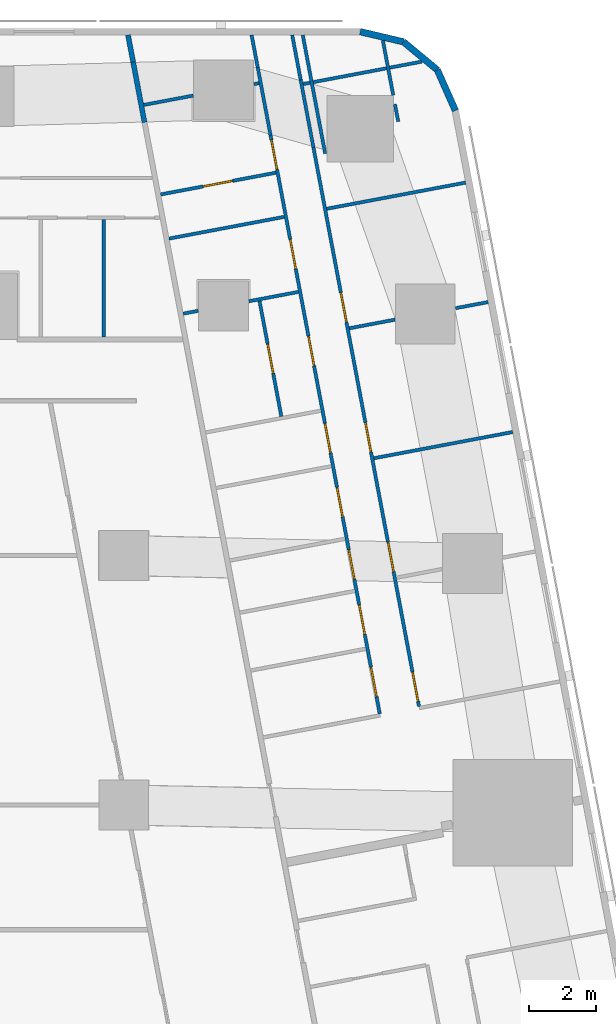
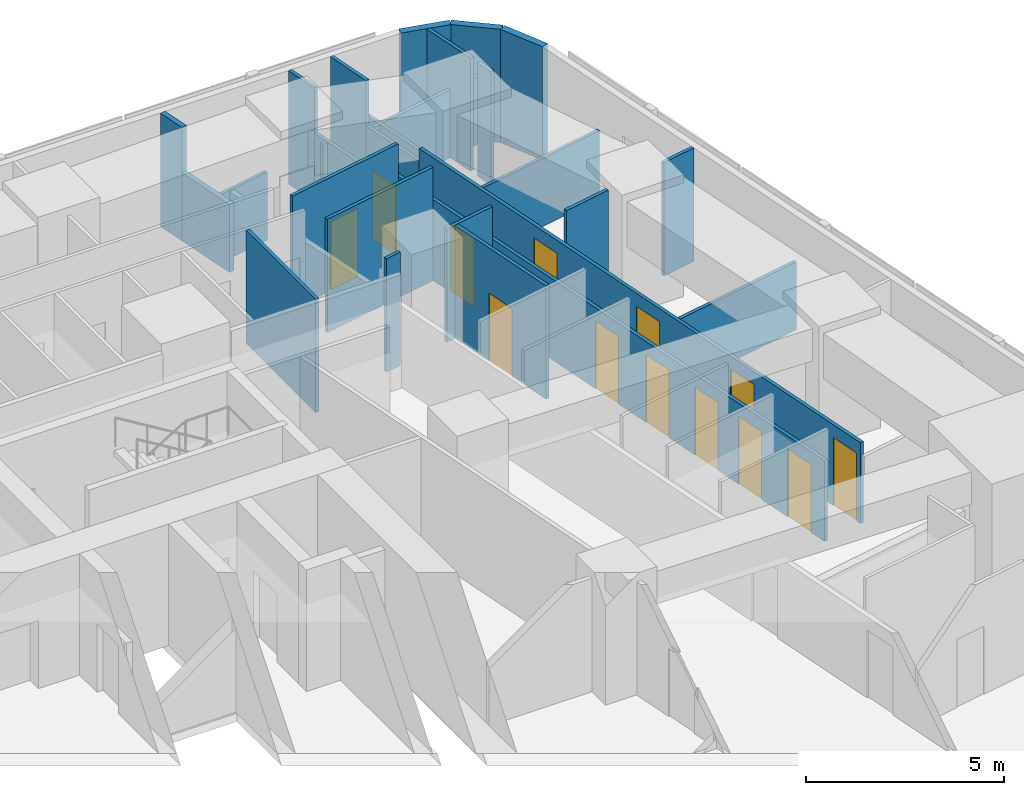
# One storey, part 10 of 14: 27 walls, 14 doors, 14 openings.
"""IFC4 building model written with IfcOpenShell, lengths in metres."""

from ifc_helpers import new_model, si_unit, direction, frame, frame_2d, origin, place, context, subcontext, project, spatial, rectangle, extrude, material, layer, layer_set, type_object, element, fill, save


model = new_model("IFC4")

# Units and contexts
model_context = context("Model", 3, precision=1e-05, world=origin(), true_north=direction((0.0, 1.0)))
body_context = subcontext(model_context, "Body", "Model", "MODEL_VIEW")
ifc_project = project(units=[si_unit("LENGTHUNIT", "METRE"), si_unit("AREAUNIT", "SQUARE_METRE"), si_unit("VOLUMEUNIT", "CUBIC_METRE"), si_unit("PLANEANGLEUNIT", "RADIAN"), si_unit("MASSUNIT", "GRAM", prefix="KILO")], contexts=[model_context])

# Site, building, storey
site_placement = place(None, origin())
site = spatial("IfcSite", under=ifc_project, at=site_placement, CompositionType="ELEMENT")
building_placement = place(site_placement, origin())
building = spatial("IfcBuilding", under=site, at=building_placement, Name="Sheger Commons Tower", CompositionType="ELEMENT")
storey_placement = place(building_placement, frame((0.0, 0.0, 135.800048828125)))
storey = spatial("IfcBuildingStorey", under=building, at=storey_placement, Name="L34", CompositionType="ELEMENT", Elevation=135.800048828125)

# Walls
ifc_material_1 = material(Name="Hollow concrete block masonry, skimmed both sides", Category="masonry")
ifc_layer_1 = layer(ifc_material_1, 0.14990234375)
ifc_layer_set_1 = layer_set([ifc_layer_1], Name="CORRIDOR WALL 150")
wall_type_1 = type_object("IfcWallType", Name="CORRIDOR WALL 150", PredefinedType="SOLIDWALL", material=ifc_layer_set_1)
wall_1_placement = place(storey_placement, frame((33.126953125, 45.64990234375, 0.0), z_axis=(0.0, 0.0, 1.0), x_axis=(0.186176514576, -0.982516313056, 0.0)))
element("IfcWall", 1, at=wall_1_placement, inside=storey, type_object=wall_type_1, Name="Corridor wall L34", PredefinedType="SOLIDWALL", context=body_context, shape_type="SweptSolid", body=[
    extrude(rectangle(XDim=0.827392578125, YDim=0.14990234375, at=frame_2d((0.41357421875, 0.0))), origin(), (0.0, 0.0, 1.0), 3.5),
])
wall_2_placement = place(storey_placement, frame((33.281005859375, 44.8369140625, 0.0), z_axis=(0.0, 0.0, 1.0), x_axis=(0.185198323004, -0.982701165745, 0.0)))
element("IfcWall", 2, at=wall_2_placement, inside=storey, type_object=wall_type_1, Name="Corridor wall L34", PredefinedType="SOLIDWALL", context=body_context, shape_type="SweptSolid", body=[
    extrude(rectangle(XDim=1.846923828125, YDim=0.14990234375, at=frame_2d((0.92333984375, 0.0))), origin(), (0.0, 0.0, 1.0), 2.099853515625),
])
ifc_material_2 = material(Name="Rendered concrete block masonry, dark grey", Category="masonry")
ifc_layer_2 = layer(ifc_material_2, 0.199951171875)
ifc_layer_set_2 = layer_set([ifc_layer_2], Name="FACADE WALL 200")
wall_type_2 = type_object("IfcWallType", Name="FACADE WALL 200", PredefinedType="SOLIDWALL", material=ifc_layer_set_2)
wall_3_placement = place(storey_placement, frame((42.969970703125, 43.376953125, 0.0), z_axis=(0.0, 0.0, 1.0), x_axis=(-0.406002956633, 0.913871762998, 0.0)))
element("IfcWall", 3, at=wall_3_placement, inside=storey, type_object=wall_type_2, Name="Facade wall L34", PredefinedType="SOLIDWALL", context=body_context, shape_type="SweptSolid", body=[
    extrude(rectangle(XDim=1.33740234375, YDim=0.199951171875, at=frame_2d((0.668701171875, 0.0))), origin(), (0.0, 0.0, 1.0), 3.5),
])
wall_4_placement = place(storey_placement, frame((42.427001953125, 44.59912109375, 0.0), z_axis=(0.0, 0.0, 1.0), x_axis=(-0.770091412544, 0.637933551655, 0.0)))
element("IfcWall", 4, at=wall_4_placement, inside=storey, type_object=wall_type_2, Name="Facade wall L34", PredefinedType="SOLIDWALL", context=body_context, shape_type="SweptSolid", body=[
    extrude(rectangle(XDim=1.324462890625, YDim=0.199951171875, at=frame_2d((0.662109375, 0.0))), origin(), (0.0, 0.0, 1.0), 3.5),
])
wall_5_placement = place(storey_placement, frame((41.406982421875, 45.444091796875, 0.0), z_axis=(0.0, 0.0, 1.0), x_axis=(-0.973453091607, 0.228886606077, 0.0)))
element("IfcWall", 5, at=wall_5_placement, inside=storey, type_object=wall_type_2, Name="Facade wall L34", PredefinedType="SOLIDWALL", context=body_context, shape_type="SweptSolid", body=[
    extrude(rectangle(XDim=1.33642578125, YDim=0.199951171875, at=frame_2d((0.668212890625, 0.0))), origin(), (0.0, 0.0, 1.0), 3.5),
])
ifc_material_3 = material(Name="Gypsum board on steel studs", Category="steel")
ifc_layer_3 = layer(ifc_material_3, 0.10009765625)
ifc_layer_set_3 = layer_set([ifc_layer_3], Name="PARTITION 100")
wall_type_3 = type_object("IfcWallType", Name="PARTITION 100", PredefinedType="PARTITIONING", material=ifc_layer_set_3)
wall_6_placement = place(storey_placement, frame((39.053955078125, 42.0849609375, 0.0), z_axis=(0.0, 0.0, 1.0), x_axis=(-0.185791584218, 0.982589175207, 0.0)))
element("IfcWall", 6, at=wall_6_placement, inside=storey, type_object=wall_type_3, Name="Partition L34", PredefinedType="PARTITIONING", context=body_context, shape_type="SweptSolid", body=[
    extrude(rectangle(XDim=3.628173828125, YDim=0.10009765625, at=frame_2d((1.81396484375, 0.0))), origin(), (0.0, 0.0, 1.0), 2.099853515625),
])
wall_7_placement = place(storey_placement, frame((40.7890625, 45.487060546875, 0.0), z_axis=(0.0, 0.0, 1.0), x_axis=(0.185572395193, -0.982630594955, 0.0)))
element("IfcWall", 7, at=wall_7_placement, inside=storey, type_object=wall_type_3, Name="Partition L34", PredefinedType="PARTITIONING", context=body_context, shape_type="SweptSolid", body=[
    extrude(rectangle(XDim=1.676025390625, YDim=0.10009765625, at=frame_2d((0.837890625, 0.0))), origin(), (0.0, 0.0, 1.0), 3.5),
])
wall_8_placement = place(storey_placement, frame((41.15087890625, 43.569091796875, 0.0), z_axis=(0.0, 0.0, 1.0), x_axis=(0.186563073924, -0.982442985342, 0.0)))
element("IfcWall", 8, at=wall_8_placement, inside=storey, type_object=wall_type_3, Name="Partition L34", PredefinedType="PARTITIONING", context=body_context, shape_type="SweptSolid", body=[
    extrude(rectangle(XDim=0.53125, YDim=0.10009765625, at=frame_2d((0.265625, 0.0))), origin(), (0.0, 0.0, 1.0), 3.5),
])
wall_9_placement = place(storey_placement, frame((38.06298828125, 45.64990234375, 0.0), z_axis=(0.0, 0.0, 1.0), x_axis=(0.185456359766, -0.982652501458, 0.0)))
element("IfcWall", 9, at=wall_9_placement, inside=storey, type_object=wall_type_3, Name="Partition L34", PredefinedType="PARTITIONING", context=body_context, shape_type="SweptSolid", body=[
    extrude(rectangle(XDim=1.375732421875, YDim=0.10009765625, at=frame_2d((0.68798828125, 0.0))), origin(), (0.0, 0.0, 1.0), 3.5),
])
wall_10_placement = place(storey_placement, frame((38.318115234375, 44.298095703125, 0.0), z_axis=(0.0, 0.0, 1.0), x_axis=(0.185481135188, -0.982647825261, 0.0)))
element("IfcWall", 10, at=wall_10_placement, inside=storey, type_object=wall_type_3, Name="Partition L34", PredefinedType="PARTITIONING", context=body_context, shape_type="SweptSolid", body=[
    extrude(rectangle(XDim=2.06396484375, YDim=0.10009765625, at=frame_2d((1.031982421875, 0.0))), origin(), (0.0, 0.0, 1.0), 2.099853515625),
])

# Wall, openings, doors
wall_11_placement = place(storey_placement, frame((38.700927734375, 42.27001953125, 0.0), z_axis=(0.0, 0.0, 1.0), x_axis=(0.185640619081, -0.98261770824, 0.0)))
wall_11 = element("IfcWall", 11, at=wall_11_placement, inside=storey, type_object=wall_type_3, Name="Partition L34", PredefinedType="PARTITIONING", context=body_context, shape_type="SweptSolid", body=[
    extrude(rectangle(XDim=17.103271484375, YDim=0.10009765625, at=frame_2d((8.5517578125, 0.0))), origin(), (0.0, 0.0, 1.0), 2.5),
])
opening_1_placement = place(wall_11_placement, frame((16.052978515625, 0.0, 0.0)))
opening_1 = element("IfcOpeningElement", 12, at=opening_1_placement, cuts=wall_11, Name="Opening D2", PredefinedType="OPENING", context=body_context, shape_type="SweptSolid", body=[
    extrude(rectangle(XDim=0.89990234375, YDim=2.10009765625, at=frame_2d((0.449951171875, 1.050048828125))), frame((0.0, 0.06005859375, 0.0), z_axis=(0.0, -1.0, 0.0), x_axis=(1.0, 0.0, 0.0)), (0.0, 0.0, 1.0), 0.1201171875),
])
opening_2_placement = place(wall_11_placement, frame((12.076904296875, 0.0, 0.0)))
opening_2 = element("IfcOpeningElement", 13, at=opening_2_placement, cuts=wall_11, Name="Opening D2", PredefinedType="OPENING", context=body_context, shape_type="SweptSolid", body=[
    extrude(rectangle(XDim=0.89990234375, YDim=2.10009765625, at=frame_2d((0.449951171875, 1.050048828125))), frame((0.0, 0.06005859375, 0.0), z_axis=(0.0, -1.0, 0.0), x_axis=(1.0, 0.0, 0.0)), (0.0, 0.0, 1.0), 0.1201171875),
])
opening_3_placement = place(wall_11_placement, frame((8.419921875, 0.0, 0.0)))
opening_3 = element("IfcOpeningElement", 14, at=opening_3_placement, cuts=wall_11, Name="Opening D2", PredefinedType="OPENING", context=body_context, shape_type="SweptSolid", body=[
    extrude(rectangle(XDim=0.89990234375, YDim=2.10009765625, at=frame_2d((0.449951171875, 1.050048828125))), frame((0.0, 0.06005859375, 0.0), z_axis=(0.0, -1.0, 0.0), x_axis=(1.0, 0.0, 0.0)), (0.0, 0.0, 1.0), 0.1201171875),
])
opening_4_placement = place(wall_11_placement, frame((4.444091796875, 0.0, 0.0)))
opening_4 = element("IfcOpeningElement", 15, at=opening_4_placement, cuts=wall_11, Name="Opening D2", PredefinedType="OPENING", context=body_context, shape_type="SweptSolid", body=[
    extrude(rectangle(XDim=0.89990234375, YDim=2.10009765625, at=frame_2d((0.449951171875, 1.050048828125))), frame((0.0, 0.06005859375, 0.0), z_axis=(0.0, -1.0, 0.0), x_axis=(1.0, 0.0, 0.0)), (0.0, 0.0, 1.0), 0.1201171875),
])
ifc_material_4 = material(Name="Timber door set", Category="wood")
door_type = type_object("IfcDoorType", Name="INTERNAL DOOR 900x2100", OperationType="NOTDEFINED", PredefinedType="DOOR", material=ifc_material_4)
door_1_placement = place(opening_1_placement, origin())
door_1 = element("IfcDoor", 16, at=door_1_placement, inside=storey, type_object=door_type, Name="Main bedroom door", OperationType="SINGLE_SWING_RIGHT", OverallHeight=2.10009765625, OverallWidth=0.89990234375, PredefinedType="DOOR", context=body_context, shape_type="SweptSolid", body=[
    extrude(rectangle(XDim=0.89990234375, YDim=2.10009765625, at=frame_2d((0.449951171875, 1.050048828125))), frame((0.0, 0.02490234375, 0.0), z_axis=(0.0, -1.0, 0.0), x_axis=(1.0, 0.0, 0.0)), (0.0, 0.0, 1.0), 0.050048828125),
])
fill(opening_1, door_1)
door_2_placement = place(opening_2_placement, origin())
door_2 = element("IfcDoor", 17, at=door_2_placement, inside=storey, type_object=door_type, Name="Bedroom 2 door", OperationType="SINGLE_SWING_RIGHT", OverallHeight=2.10009765625, OverallWidth=0.89990234375, PredefinedType="DOOR", context=body_context, shape_type="SweptSolid", body=[
    extrude(rectangle(XDim=0.89990234375, YDim=2.10009765625, at=frame_2d((0.449951171875, 1.050048828125))), frame((0.0, 0.02490234375, 0.0), z_axis=(0.0, -1.0, 0.0), x_axis=(1.0, 0.0, 0.0)), (0.0, 0.0, 1.0), 0.050048828125),
])
fill(opening_2, door_2)
door_3_placement = place(opening_3_placement, origin())
door_3 = element("IfcDoor", 18, at=door_3_placement, inside=storey, type_object=door_type, Name="Bedroom 3 door", OperationType="SINGLE_SWING_RIGHT", OverallHeight=2.10009765625, OverallWidth=0.89990234375, PredefinedType="DOOR", context=body_context, shape_type="SweptSolid", body=[
    extrude(rectangle(XDim=0.89990234375, YDim=2.10009765625, at=frame_2d((0.449951171875, 1.050048828125))), frame((0.0, 0.02490234375, 0.0), z_axis=(0.0, -1.0, 0.0), x_axis=(1.0, 0.0, 0.0)), (0.0, 0.0, 1.0), 0.050048828125),
])
fill(opening_3, door_3)
door_4_placement = place(opening_4_placement, origin())
door_4 = element("IfcDoor", 19, at=door_4_placement, inside=storey, type_object=door_type, Name="Bedroom 4 door", OperationType="SINGLE_SWING_RIGHT", OverallHeight=2.10009765625, OverallWidth=0.89990234375, PredefinedType="DOOR", context=body_context, shape_type="SweptSolid", body=[
    extrude(rectangle(XDim=0.89990234375, YDim=2.10009765625, at=frame_2d((0.449951171875, 1.050048828125))), frame((0.0, 0.02490234375, 0.0), z_axis=(0.0, -1.0, 0.0), x_axis=(1.0, 0.0, 0.0)), (0.0, 0.0, 1.0), 0.050048828125),
])
fill(opening_4, door_4)

# Walls
wall_12_placement = place(storey_placement, frame((36.842041015625, 45.64990234375, 0.0), z_axis=(0.0, 0.0, 1.0), x_axis=(0.185789875365, -0.982589498322, 0.0)))
element("IfcWall", 20, at=wall_12_placement, inside=storey, type_object=wall_type_3, Name="Partition L34", PredefinedType="PARTITIONING", context=body_context, shape_type="SweptSolid", body=[
    extrude(rectangle(XDim=1.001220703125, YDim=0.10009765625, at=frame_2d((0.50048828125, 0.0))), origin(), (0.0, 0.0, 1.0), 3.5),
])
wall_13_placement = place(storey_placement, frame((37.028076171875, 44.666015625, 0.0), z_axis=(0.0, 0.0, 1.0), x_axis=(0.185481135188, -0.982647825261, 0.0)))
element("IfcWall", 21, at=wall_13_placement, inside=storey, type_object=wall_type_3, Name="Partition L34", PredefinedType="PARTITIONING", context=body_context, shape_type="SweptSolid", body=[
    extrude(rectangle(XDim=2.06396484375, YDim=0.10009765625, at=frame_2d((1.031982421875, 0.0))), origin(), (0.0, 0.0, 1.0), 2.099853515625),
])

# Wall, openings, doors
wall_14_placement = place(storey_placement, frame((37.410888671875, 42.637939453125, 0.0), z_axis=(0.0, 0.0, 1.0), x_axis=(0.185555586706, -0.982633769134, 0.0)))
wall_14 = element("IfcWall", 22, at=wall_14_placement, inside=storey, type_object=wall_type_3, Name="Partition L34", PredefinedType="PARTITIONING", context=body_context, shape_type="SweptSolid", body=[
    extrude(rectangle(XDim=17.704345703125, YDim=0.10009765625, at=frame_2d((8.85205078125, 0.0))), origin(), (0.0, 0.0, 1.0), 2.5),
])
opening_5_placement = place(wall_14_placement, frame((16.280029296875, 0.0, 0.0)))
opening_5 = element("IfcOpeningElement", 23, at=opening_5_placement, cuts=wall_14, Name="Opening D2", PredefinedType="OPENING", context=body_context, shape_type="SweptSolid", body=[
    extrude(rectangle(XDim=0.89990234375, YDim=2.10009765625, at=frame_2d((0.449951171875, 1.050048828125))), frame((0.0, 0.06005859375, 0.0), z_axis=(0.0, -1.0, 0.0), x_axis=(1.0, 0.0, 0.0)), (0.0, 0.0, 1.0), 0.1201171875),
])
opening_6_placement = place(wall_14_placement, frame((12.68798828125, 0.0, 0.0)))
opening_6 = element("IfcOpeningElement", 24, at=opening_6_placement, cuts=wall_14, Name="Opening D2", PredefinedType="OPENING", context=body_context, shape_type="SweptSolid", body=[
    extrude(rectangle(XDim=0.89990234375, YDim=2.10009765625, at=frame_2d((0.449951171875, 1.050048828125))), frame((0.0, 0.06005859375, 0.0), z_axis=(0.0, -1.0, 0.0), x_axis=(1.0, 0.0, 0.0)), (0.0, 0.0, 1.0), 0.1201171875),
])
opening_7_placement = place(wall_14_placement, frame((8.822021484375, 0.0, 0.0)))
opening_7 = element("IfcOpeningElement", 25, at=opening_7_placement, cuts=wall_14, Name="Opening D2", PredefinedType="OPENING", context=body_context, shape_type="SweptSolid", body=[
    extrude(rectangle(XDim=0.89990234375, YDim=2.10009765625, at=frame_2d((0.449951171875, 1.050048828125))), frame((0.0, 0.06005859375, 0.0), z_axis=(0.0, -1.0, 0.0), x_axis=(1.0, 0.0, 0.0)), (0.0, 0.0, 1.0), 0.1201171875),
])
opening_8_placement = place(wall_14_placement, frame((3.18798828125, 0.0, 0.0)))
opening_8 = element("IfcOpeningElement", 26, at=opening_8_placement, cuts=wall_14, Name="Opening D2", PredefinedType="OPENING", context=body_context, shape_type="SweptSolid", body=[
    extrude(rectangle(XDim=0.89990234375, YDim=2.10009765625, at=frame_2d((0.449951171875, 1.050048828125))), frame((0.0, 0.06005859375, 0.0), z_axis=(0.0, -1.0, 0.0), x_axis=(1.0, 0.0, 0.0)), (0.0, 0.0, 1.0), 0.1201171875),
])
opening_9_placement = place(wall_14_placement, frame((0.14990234375, 0.0, 0.0)))
opening_9 = element("IfcOpeningElement", 27, at=opening_9_placement, cuts=wall_14, Name="Opening D2", PredefinedType="OPENING", context=body_context, shape_type="SweptSolid", body=[
    extrude(rectangle(XDim=0.89990234375, YDim=2.10009765625, at=frame_2d((0.449951171875, 1.050048828125))), frame((0.0, 0.06005859375, 0.0), z_axis=(0.0, -1.0, 0.0), x_axis=(1.0, 0.0, 0.0)), (0.0, 0.0, 1.0), 0.1201171875),
])
opening_10_placement = place(wall_14_placement, frame((14.37109375, 0.0, 0.0)))
opening_10 = element("IfcOpeningElement", 28, at=opening_10_placement, cuts=wall_14, Name="Opening D2", PredefinedType="OPENING", context=body_context, shape_type="SweptSolid", body=[
    extrude(rectangle(XDim=0.89990234375, YDim=2.10009765625, at=frame_2d((0.449951171875, 1.050048828125))), frame((0.0, 0.06005859375, 0.0), z_axis=(0.0, -1.0, 0.0), x_axis=(1.0, 0.0, 0.0)), (0.0, 0.0, 1.0), 0.1201171875),
])
opening_11_placement = place(wall_14_placement, frame((10.780029296875, 0.0, 0.0)))
opening_11 = element("IfcOpeningElement", 29, at=opening_11_placement, cuts=wall_14, Name="Opening D2", PredefinedType="OPENING", context=body_context, shape_type="SweptSolid", body=[
    extrude(rectangle(XDim=0.89990234375, YDim=2.10009765625, at=frame_2d((0.449951171875, 1.050048828125))), frame((0.0, 0.06005859375, 0.0), z_axis=(0.0, -1.0, 0.0), x_axis=(1.0, 0.0, 0.0)), (0.0, 0.0, 1.0), 0.1201171875),
])
opening_12_placement = place(wall_14_placement, frame((6.154052734375, 0.0, 0.0)))
opening_12 = element("IfcOpeningElement", 30, at=opening_12_placement, cuts=wall_14, Name="Opening D2", PredefinedType="OPENING", context=body_context, shape_type="SweptSolid", body=[
    extrude(rectangle(XDim=0.89990234375, YDim=2.10009765625, at=frame_2d((0.449951171875, 1.050048828125))), frame((0.0, 0.06005859375, 0.0), z_axis=(0.0, -1.0, 0.0), x_axis=(1.0, 0.0, 0.0)), (0.0, 0.0, 1.0), 0.1201171875),
])
door_5_placement = place(opening_5_placement, origin())
door_5 = element("IfcDoor", 31, at=door_5_placement, inside=storey, type_object=door_type, Name="Bathroom door", OperationType="SINGLE_SWING_LEFT", OverallHeight=2.10009765625, OverallWidth=0.89990234375, PredefinedType="DOOR", context=body_context, shape_type="SweptSolid", body=[
    extrude(rectangle(XDim=0.89990234375, YDim=2.10009765625, at=frame_2d((0.449951171875, 1.050048828125))), frame((0.0, 0.02490234375, 0.0), z_axis=(0.0, -1.0, 0.0), x_axis=(1.0, 0.0, 0.0)), (0.0, 0.0, 1.0), 0.050048828125),
])
fill(opening_5, door_5)
door_6_placement = place(opening_6_placement, origin())
door_6 = element("IfcDoor", 32, at=door_6_placement, inside=storey, type_object=door_type, Name="Shower room door", OperationType="SINGLE_SWING_LEFT", OverallHeight=2.10009765625, OverallWidth=0.89990234375, PredefinedType="DOOR", context=body_context, shape_type="SweptSolid", body=[
    extrude(rectangle(XDim=0.89990234375, YDim=2.10009765625, at=frame_2d((0.449951171875, 1.050048828125))), frame((0.0, 0.02490234375, 0.0), z_axis=(0.0, -1.0, 0.0), x_axis=(1.0, 0.0, 0.0)), (0.0, 0.0, 1.0), 0.050048828125),
])
fill(opening_6, door_6)
door_7_placement = place(opening_7_placement, origin())
door_7 = element("IfcDoor", 33, at=door_7_placement, inside=storey, type_object=door_type, Name="Laundry room door", OperationType="SINGLE_SWING_LEFT", OverallHeight=2.10009765625, OverallWidth=0.89990234375, PredefinedType="DOOR", context=body_context, shape_type="SweptSolid", body=[
    extrude(rectangle(XDim=0.89990234375, YDim=2.10009765625, at=frame_2d((0.449951171875, 1.050048828125))), frame((0.0, 0.02490234375, 0.0), z_axis=(0.0, -1.0, 0.0), x_axis=(1.0, 0.0, 0.0)), (0.0, 0.0, 1.0), 0.050048828125),
])
fill(opening_7, door_7)
door_8_placement = place(opening_8_placement, origin())
door_8 = element("IfcDoor", 34, at=door_8_placement, inside=storey, type_object=door_type, Name="Store and laundry door", OperationType="SINGLE_SWING_RIGHT", OverallHeight=2.10009765625, OverallWidth=0.89990234375, PredefinedType="DOOR", context=body_context, shape_type="SweptSolid", body=[
    extrude(rectangle(XDim=0.89990234375, YDim=2.10009765625, at=frame_2d((0.449951171875, 1.050048828125))), frame((0.0, 0.02490234375, 0.0), z_axis=(0.0, -1.0, 0.0), x_axis=(1.0, 0.0, 0.0)), (0.0, 0.0, 1.0), 0.050048828125),
])
fill(opening_8, door_8)
door_9_placement = place(opening_9_placement, origin())
door_9 = element("IfcDoor", 35, at=door_9_placement, inside=storey, type_object=door_type, Name="Store and laundry door", OperationType="SINGLE_SWING_RIGHT", OverallHeight=2.10009765625, OverallWidth=0.89990234375, PredefinedType="DOOR", context=body_context, shape_type="SweptSolid", body=[
    extrude(rectangle(XDim=0.89990234375, YDim=2.10009765625, at=frame_2d((0.449951171875, 1.050048828125))), frame((0.0, 0.02490234375, 0.0), z_axis=(0.0, -1.0, 0.0), x_axis=(1.0, 0.0, 0.0)), (0.0, 0.0, 1.0), 0.050048828125),
])
fill(opening_9, door_9)
door_10_placement = place(opening_10_placement, origin())
door_10 = element("IfcDoor", 36, at=door_10_placement, inside=storey, type_object=door_type, Name="Store door", OperationType="SINGLE_SWING_RIGHT", OverallHeight=2.10009765625, OverallWidth=0.89990234375, PredefinedType="DOOR", context=body_context, shape_type="SweptSolid", body=[
    extrude(rectangle(XDim=0.89990234375, YDim=2.10009765625, at=frame_2d((0.449951171875, 1.050048828125))), frame((0.0, 0.02490234375, 0.0), z_axis=(0.0, -1.0, 0.0), x_axis=(1.0, 0.0, 0.0)), (0.0, 0.0, 1.0), 0.050048828125),
])
fill(opening_10, door_10)
door_11_placement = place(opening_11_placement, origin())
door_11 = element("IfcDoor", 37, at=door_11_placement, inside=storey, type_object=door_type, Name="Store door", OperationType="SINGLE_SWING_RIGHT", OverallHeight=2.10009765625, OverallWidth=0.89990234375, PredefinedType="DOOR", context=body_context, shape_type="SweptSolid", body=[
    extrude(rectangle(XDim=0.89990234375, YDim=2.10009765625, at=frame_2d((0.449951171875, 1.050048828125))), frame((0.0, 0.02490234375, 0.0), z_axis=(0.0, -1.0, 0.0), x_axis=(1.0, 0.0, 0.0)), (0.0, 0.0, 1.0), 0.050048828125),
])
fill(opening_11, door_11)
door_12_placement = place(opening_12_placement, origin())
door_12 = element("IfcDoor", 38, at=door_12_placement, inside=storey, type_object=door_type, Name="Store door", OperationType="SINGLE_SWING_LEFT", OverallHeight=2.10009765625, OverallWidth=0.89990234375, PredefinedType="DOOR", context=body_context, shape_type="SweptSolid", body=[
    extrude(rectangle(XDim=0.89990234375, YDim=2.10009765625, at=frame_2d((0.449951171875, 1.050048828125))), frame((0.0, 0.02490234375, 0.0), z_axis=(0.0, -1.0, 0.0), x_axis=(1.0, 0.0, 0.0)), (0.0, 0.0, 1.0), 0.050048828125),
])
fill(opening_12, door_12)

# Walls
wall_15_placement = place(storey_placement, frame((41.968017578125, 44.85009765625, 0.0), z_axis=(0.0, 0.0, 1.0), x_axis=(-0.98258614234, -0.185807623311, 0.0)))
element("IfcWall", 39, at=wall_15_placement, inside=storey, type_object=wall_type_3, Name="Partition L34", PredefinedType="PARTITIONING", context=body_context, shape_type="SweptSolid", body=[
    extrude(rectangle(XDim=3.638427734375, YDim=0.10009765625, at=frame_2d((1.8193359375, 0.0))), origin(), (0.0, 0.0, 1.0), 2.099853515625),
])
wall_16_placement = place(storey_placement, frame((43.277099609375, 41.2119140625, 0.0), z_axis=(0.0, 0.0, 1.0), x_axis=(-0.982665405803, -0.185387972203, 0.0)))
element("IfcWall", 40, at=wall_16_placement, inside=storey, type_object=wall_type_3, Name="Partition L34", PredefinedType="PARTITIONING", context=body_context, shape_type="SweptSolid", body=[
    extrude(rectangle(XDim=4.249755859375, YDim=0.10009765625, at=frame_2d((2.125, 0.0))), origin(), (0.0, 0.0, 1.0), 2.099853515625),
])
wall_17_placement = place(storey_placement, frame((43.955078125, 37.6201171875, 0.0), z_axis=(0.0, 0.0, 1.0), x_axis=(-0.982666697719, -0.185381124159, 0.0)))
element("IfcWall", 41, at=wall_17_placement, inside=storey, type_object=wall_type_3, Name="Partition L34", PredefinedType="PARTITIONING", context=body_context, shape_type="SweptSolid", body=[
    extrude(rectangle(XDim=0.998291015625, YDim=0.10009765625, at=frame_2d((0.4990234375, 0.0))), origin(), (0.0, 0.0, 1.0), 3.5),
])
wall_18_placement = place(storey_placement, frame((41.154052734375, 37.091064453125, 0.0), z_axis=(0.0, 0.0, 1.0), x_axis=(-0.982562488259, -0.185932667021, 0.0)))
element("IfcWall", 42, at=wall_18_placement, inside=storey, type_object=wall_type_3, Name="Partition L34", PredefinedType="PARTITIONING", context=body_context, shape_type="SweptSolid", body=[
    extrude(rectangle(XDim=1.3984375, YDim=0.10009765625, at=frame_2d((0.69921875, 0.0))), origin(), (0.0, 0.0, 1.0), 3.5),
])
wall_19_placement = place(storey_placement, frame((44.693115234375, 33.712890625, 0.0), z_axis=(0.0, 0.0, 1.0), x_axis=(-0.982615600536, -0.185651775062, 0.0)))
element("IfcWall", 43, at=wall_19_placement, inside=storey, type_object=wall_type_3, Name="Partition L34", PredefinedType="PARTITIONING", context=body_context, shape_type="SweptSolid", body=[
    extrude(rectangle(XDim=4.2490234375, YDim=0.10009765625, at=frame_2d((2.12451171875, 0.0))), origin(), (0.0, 0.0, 1.0), 2.099853515625),
])
wall_20_placement = place(storey_placement, frame((37.06494140625, 44.200927734375, 0.0), z_axis=(0.0, 0.0, 1.0), x_axis=(-0.983168876381, -0.182699098288, 0.0)))
element("IfcWall", 44, at=wall_20_placement, inside=storey, type_object=wall_type_3, Name="Partition L34", PredefinedType="PARTITIONING", context=body_context, shape_type="SweptSolid", body=[
    extrude(rectangle(XDim=0.15771484375, YDim=0.10009765625, at=frame_2d((0.078857421875, 0.0))), origin(), (0.0, 0.0, 1.0), 2.099853515625),
])
wall_21_placement = place(storey_placement, frame((35.090087890625, 43.827880859375, 0.0), z_axis=(0.0, 0.0, 1.0), x_axis=(-0.982683801717, -0.185290436461, 0.0)))
element("IfcWall", 45, at=wall_21_placement, inside=storey, type_object=wall_type_3, Name="Partition L34", PredefinedType="PARTITIONING", context=body_context, shape_type="SweptSolid", body=[
    extrude(rectangle(XDim=1.51513671875, YDim=0.10009765625, at=frame_2d((0.757568359375, 0.0))), origin(), (0.0, 0.0, 1.0), 2.099853515625),
])
wall_22_placement = place(storey_placement, frame((37.823974609375, 40.181884765625, 0.0), z_axis=(0.0, 0.0, 1.0), x_axis=(-0.982648794755, -0.185475998897, 0.0)))
element("IfcWall", 46, at=wall_22_placement, inside=storey, type_object=wall_type_3, Name="Partition L34", PredefinedType="PARTITIONING", context=body_context, shape_type="SweptSolid", body=[
    extrude(rectangle(XDim=3.525146484375, YDim=0.10009765625, at=frame_2d((1.7626953125, 0.0))), origin(), (0.0, 0.0, 1.0), 3.5),
])
wall_23_placement = place(storey_placement, frame((38.25, 37.925048828125, 0.0), z_axis=(0.0, 0.0, 1.0), x_axis=(-0.982676595259, -0.18532865167, 0.0)))
element("IfcWall", 47, at=wall_23_placement, inside=storey, type_object=wall_type_3, Name="Partition L34", PredefinedType="PARTITIONING", context=body_context, shape_type="SweptSolid", body=[
    extrude(rectangle(XDim=1.516357421875, YDim=0.10009765625, at=frame_2d((0.75830078125, 0.0))), origin(), (0.0, 0.0, 1.0), 3.5),
])
wall_24_placement = place(storey_placement, frame((35.239990234375, 37.35693359375, 0.0), z_axis=(0.0, 0.0, 1.0), x_axis=(-0.982559813104, -0.18594680334, 0.0)))
element("IfcWall", 48, at=wall_24_placement, inside=storey, type_object=wall_type_3, Name="Partition L34", PredefinedType="PARTITIONING", context=body_context, shape_type="SweptSolid", body=[
    extrude(rectangle(XDim=0.462158203125, YDim=0.10009765625, at=frame_2d((0.23095703125, 0.0))), origin(), (0.0, 0.0, 1.0), 3.5),
])
wall_25_placement = place(storey_placement, frame((32.39990234375, 36.574951171875, 0.0), z_axis=(0.0, 0.0, 1.0), x_axis=(0.0, 1.0, 0.0)))
element("IfcWall", 49, at=wall_25_placement, inside=storey, type_object=wall_type_3, Name="Partition L34", PredefinedType="PARTITIONING", context=body_context, shape_type="SweptSolid", body=[
    extrude(rectangle(XDim=3.525146484375, YDim=0.10009765625, at=frame_2d((1.7626953125, 0.0))), origin(), (0.0, 0.0, 1.0), 3.5),
])

# Wall, opening, door
wall_26_placement = place(storey_placement, frame((37.080078125, 37.653076171875, 0.0), z_axis=(0.0, 0.0, 1.0), x_axis=(0.185864634688, -0.982575359742, 0.0)))
wall_26 = element("IfcWall", 50, at=wall_26_placement, inside=storey, type_object=wall_type_3, Name="Partition L34", PredefinedType="PARTITIONING", context=body_context, shape_type="SweptSolid", body=[
    extrude(rectangle(XDim=3.53466796875, YDim=0.10009765625, at=frame_2d((1.767333984375, 0.0))), origin(), (0.0, 0.0, 1.0), 3.5),
])
opening_13_placement = place(wall_26_placement, frame((1.31689453125, 0.0, 0.0)))
opening_13 = element("IfcOpeningElement", 51, at=opening_13_placement, cuts=wall_26, Name="Opening D2", PredefinedType="OPENING", context=body_context, shape_type="SweptSolid", body=[
    extrude(rectangle(XDim=0.89990234375, YDim=2.10009765625, at=frame_2d((0.449951171875, 1.050048828125))), frame((0.0, 0.06005859375, 0.0), z_axis=(0.0, -1.0, 0.0), x_axis=(1.0, 0.0, 0.0)), (0.0, 0.0, 1.0), 0.1201171875),
])
door_13_placement = place(opening_13_placement, origin())
door_13 = element("IfcDoor", 52, at=door_13_placement, inside=storey, type_object=door_type, Name="Store door", OperationType="SINGLE_SWING_LEFT", OverallHeight=2.10009765625, OverallWidth=0.89990234375, PredefinedType="DOOR", context=body_context, shape_type="SweptSolid", body=[
    extrude(rectangle(XDim=0.89990234375, YDim=2.10009765625, at=frame_2d((0.449951171875, 1.050048828125))), frame((0.0, 0.02490234375, 0.0), z_axis=(0.0, -1.0, 0.0), x_axis=(1.0, 0.0, 0.0)), (0.0, 0.0, 1.0), 0.050048828125),
])
fill(opening_13, door_13)

wall_27_placement = place(storey_placement, frame((37.572998046875, 41.509033203125, 0.0), z_axis=(0.0, 0.0, 1.0), x_axis=(-0.982638553676, -0.185530247748, 0.0)))
wall_27 = element("IfcWall", 53, at=wall_27_placement, inside=storey, type_object=wall_type_3, Name="Partition L34", PredefinedType="PARTITIONING", context=body_context, shape_type="SweptSolid", body=[
    extrude(rectangle(XDim=3.525390625, YDim=0.10009765625, at=frame_2d((1.7626953125, 0.0))), origin(), (0.0, 0.0, 1.0), 3.5),
])
opening_14_placement = place(wall_27_placement, frame((1.324951171875, 0.0, 0.0)))
opening_14 = element("IfcOpeningElement", 54, at=opening_14_placement, cuts=wall_27, Name="Opening D2", PredefinedType="OPENING", context=body_context, shape_type="SweptSolid", body=[
    extrude(rectangle(XDim=0.89990234375, YDim=2.10009765625, at=frame_2d((0.449951171875, 1.050048828125))), frame((0.0, 0.06005859375, 0.0), z_axis=(0.0, -1.0, 0.0), x_axis=(1.0, 0.0, 0.0)), (0.0, 0.0, 1.0), 0.1201171875),
])
door_14_placement = place(opening_14_placement, origin())
door_14 = element("IfcDoor", 55, at=door_14_placement, inside=storey, type_object=door_type, Name="Store door", OperationType="SINGLE_SWING_LEFT", OverallHeight=2.10009765625, OverallWidth=0.89990234375, PredefinedType="DOOR", context=body_context, shape_type="SweptSolid", body=[
    extrude(rectangle(XDim=0.89990234375, YDim=2.10009765625, at=frame_2d((0.449951171875, 1.050048828125))), frame((0.0, 0.02490234375, 0.0), z_axis=(0.0, -1.0, 0.0), x_axis=(1.0, 0.0, 0.0)), (0.0, 0.0, 1.0), 0.050048828125),
])
fill(opening_14, door_14)

save(model, "model.ifc")
